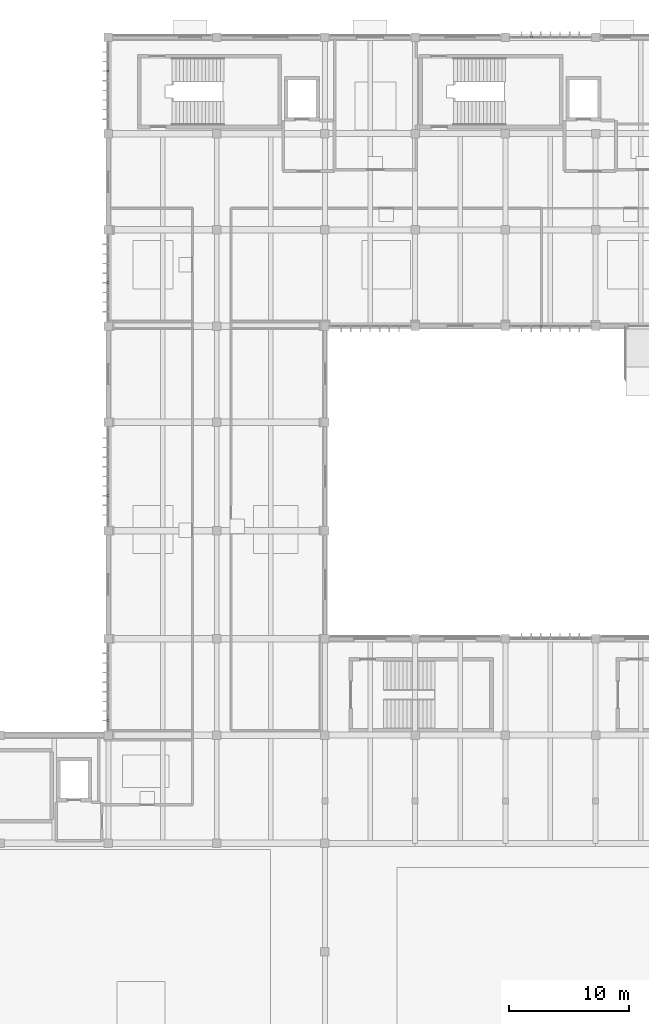
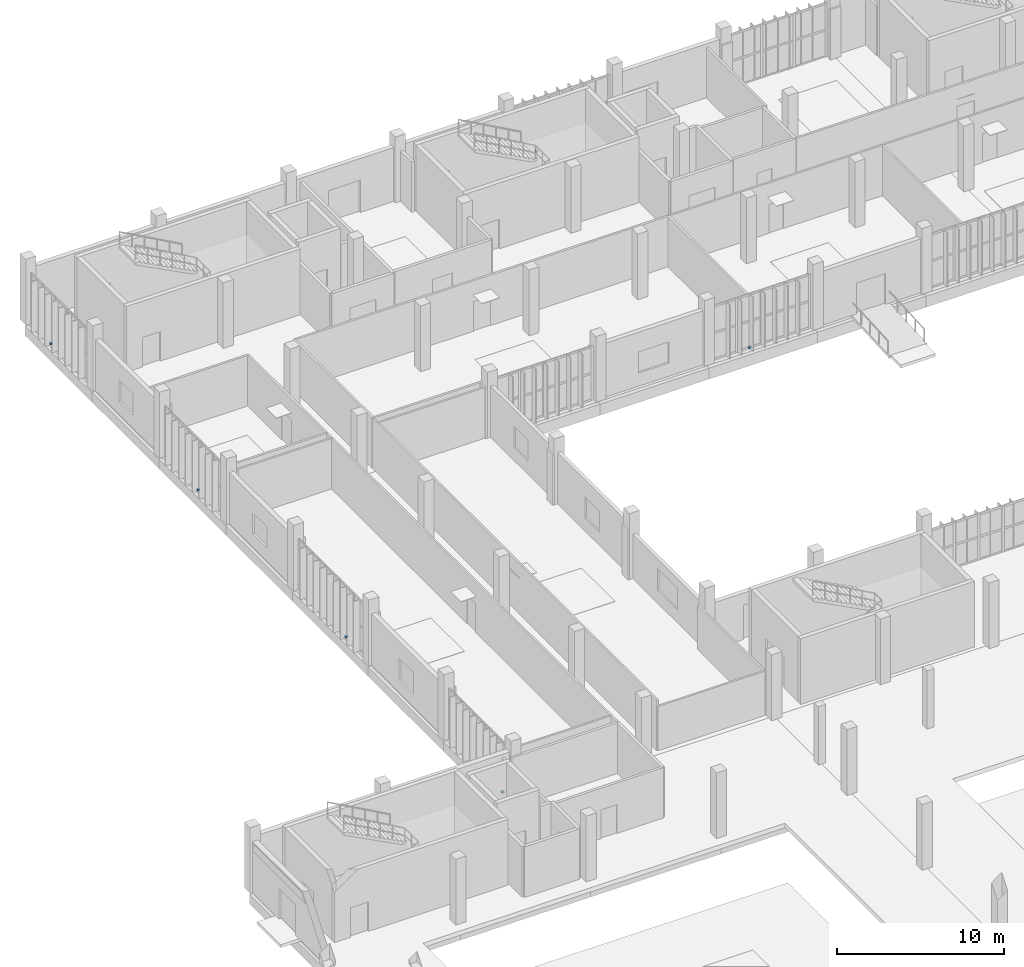
# One storey, part 55 of 72: 6 discrete accessories.
"""IFC4 building model written with IfcOpenShell, lengths in metres."""

from ifc_helpers import new_model, si_unit, direction, frame, origin, origin_2d, place, context, subcontext, project, spatial, rectangle, extrude, material, type_object, element, save


model = new_model("IFC4")

# Units and contexts
model_context = context("Model", 3, precision=1e-05, world=origin(), true_north=direction((0.0, 1.0)))
body_context = subcontext(model_context, "Body", "Model", "MODEL_VIEW")
ifc_project = project(units=[si_unit("LENGTHUNIT", "METRE"), si_unit("AREAUNIT", "SQUARE_METRE"), si_unit("VOLUMEUNIT", "CUBIC_METRE"), si_unit("PLANEANGLEUNIT", "RADIAN"), si_unit("MASSUNIT", "GRAM", prefix="KILO")], contexts=[model_context])

# Site, building, storey
site_placement = place(None, origin())
site = spatial("IfcSite", under=ifc_project, at=site_placement, CompositionType="ELEMENT")
building_placement = place(site_placement, origin())
building = spatial("IfcBuilding", under=site, at=building_placement, Name="Vourika Railside Aquatics Centre", CompositionType="ELEMENT")
storey_placement = place(building_placement, origin())
storey = spatial("IfcBuildingStorey", under=building, at=storey_placement, Name="L00", CompositionType="ELEMENT", Elevation=0.0)

# Discrete accessories
ifc_material = material(Name="Duplex stainless steel EN 1.4462", Category="steel")
discrete_accessory_type = type_object("IfcDiscreteAccessoryType", Name="ACC-BRK-180", PredefinedType="BRACKET", material=ifc_material)
for number, where, z_axis, x_axis, name in (
    (1, (53.14990234375, 116.030029296875, 0.0), (0.0, 0.0, 1.0), (0.0, 1.0, 0.0), "Stainless Fin Shoe Bracket BK-061"),
    (2, (53.949951171875, 91.969970703125, 0.0), (0.0, 0.0, 1.0), (0.0, -1.0, 0.0), "Stainless Fin Shoe Bracket BK-066"),
    (3, (17.969970703125, 59.199951171875, 0.0), (0.0, 0.0, 1.0), (-1.0, 0.0, 0.0), "Stainless Fin Shoe Bracket BK-070"),
    (4, (17.969970703125, 77.89990234375, 0.0), (0.0, 0.0, 1.0), (-1.0, 0.0, 0.0), "Stainless Fin Shoe Bracket BK-071"),
    (5, (17.969970703125, 95.60009765625, 0.0), (0.0, 0.0, 1.0), (-1.0, 0.0, 0.0), "Stainless Fin Shoe Bracket BK-072"),
    (6, (17.969970703125, 113.199951171875, 0.0), (0.0, 0.0, 1.0), (-1.0, 0.0, 0.0), "Stainless Fin Shoe Bracket BK-073"),
):
    element("IfcDiscreteAccessory", number, at=place(storey_placement, frame(where, z_axis=z_axis, x_axis=x_axis)), inside=storey, type_object=discrete_accessory_type, Name=name, PredefinedType="BRACKET", context=body_context, shape_type="SweptSolid", body=[
        extrude(rectangle(XDim=0.179931640625, YDim=0.179931640625, at=origin_2d()), origin(), (0.0, 0.0, 1.0), 0.1201171875),
    ])

save(model, "model.ifc")
